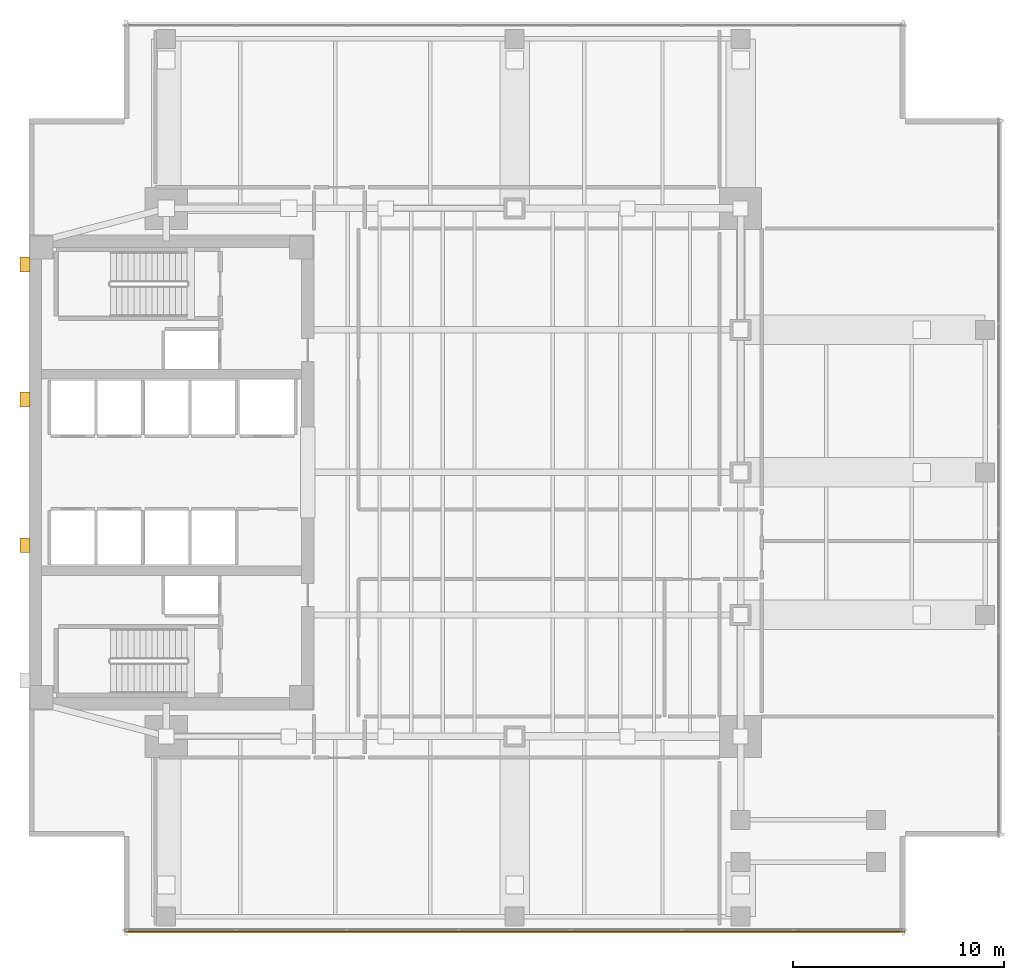
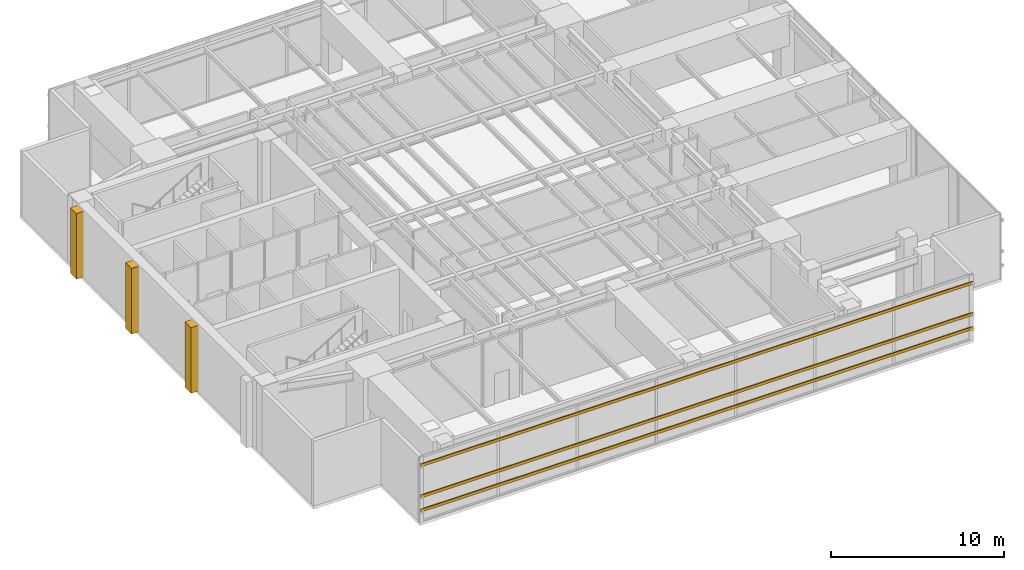
# One storey, part 12 of 14: 3 coverings, 3 shading devices.
"""IFC4 building model written with IfcOpenShell, lengths in metres."""

import ifcopenshell
import ifcopenshell.guid

model = None  # the IFC model being written
_history = None  # IfcOwnerHistory: only IFC2X3 demands one
_inside = {}  # id of a spatial element -> (the spatial element, [elements in it])
_under = {}  # id of a project, library or spatial element -> (it, [spatial elements below it])
_declared = {}  # id of a project -> (the project, [libraries it declares])
_typed = {}  # id of a type object -> (the type object, [elements of that type])
_made_of = {}  # id of a material, layer set ... -> (it, [elements and type objects made of it])


def new_model(schema):
    """Start an empty IFC model of exactly this schema.

    Asked for "IFC4X3", IfcOpenShell would pick the latest addendum, in which some entities
    have other attributes; the version numbers below select the first issue.
    IFC2X3 requires an IfcOwnerHistory on every rooted entity: one is made here for all.
    """
    global model, _history
    if schema == "IFC4X3":
        model = ifcopenshell.file(schema_version=(4, 3, 0, 0))
    else:
        model = ifcopenshell.file(schema=schema)
    _inside.clear()
    _under.clear()
    _declared.clear()
    _typed.clear()
    _made_of.clear()
    _history = None
    if model.schema == "IFC2X3":
        org = make("IfcOrganization", Name="unknown")
        user = make(
            "IfcPersonAndOrganization",
            ThePerson=make("IfcPerson", FamilyName="unknown"),
            TheOrganization=org,
        )
        app = make(
            "IfcApplication",
            ApplicationDeveloper=org,
            Version="unknown",
            ApplicationFullName="unknown",
            ApplicationIdentifier="unknown",
        )
        _history = make(
            "IfcOwnerHistory",
            OwningUser=user,
            OwningApplication=app,
            ChangeAction="ADDED",
            CreationDate=0,
        )
    return model


def make(cls, **values):
    """One entity of the class cls with the attributes given. An attribute that is None is left unset."""
    return model.create_entity(
        cls, **{name: value for name, value in values.items() if value is not None}
    )


def rooted(cls, **values):
    """An entity with a GlobalId (a new one), such as an element, a storey or a relation."""
    return make(cls, GlobalId=ifcopenshell.guid.new(), OwnerHistory=_history, **values)


def si_unit(unit_type, name, prefix=None):
    """IfcSIUnit, for example si_unit("LENGTHUNIT", "METRE", prefix="MILLI")."""
    return make("IfcSIUnit", UnitType=unit_type, Prefix=prefix, Name=name)


def assignment(units):
    """IfcUnitAssignment: the units of a project."""
    return None if units is None else make("IfcUnitAssignment", Units=units)


def point(xyz):
    """IfcCartesianPoint."""
    return None if xyz is None else make("IfcCartesianPoint", Coordinates=xyz)


def direction(xyz):
    """IfcDirection."""
    return None if xyz is None else make("IfcDirection", DirectionRatios=xyz)


def frame(location, z_axis=None, x_axis=None):
    """IfcAxis2Placement3D, a coordinate frame: its origin and axes. An axis left out is left unset."""
    return make(
        "IfcAxis2Placement3D",
        Location=point(location),
        Axis=direction(z_axis),
        RefDirection=direction(x_axis),
    )


def frame_2d(location, x_axis=None):
    """IfcAxis2Placement2D, a coordinate frame in the plane: its origin and x axis."""
    return make(
        "IfcAxis2Placement2D", Location=point(location), RefDirection=direction(x_axis)
    )


def origin():
    """The frame at (0, 0, 0) with its axes left unset."""
    return frame((0.0, 0.0, 0.0))


def origin_2d():
    """The frame at (0, 0) in the plane with its x axis left unset."""
    return frame_2d((0.0, 0.0))


def place(relative_to, where):
    """IfcLocalPlacement: puts the frame where relative to a parent placement (None: the world)."""
    return make(
        "IfcLocalPlacement", PlacementRelTo=relative_to, RelativePlacement=where
    )


def context(
    kind, dimensions, precision=None, world=None, true_north=None, identifier=None
):
    """IfcGeometricRepresentationContext, for example the 3D "Model" context."""
    return make(
        "IfcGeometricRepresentationContext",
        ContextIdentifier=identifier,
        ContextType=kind,
        CoordinateSpaceDimension=dimensions,
        Precision=precision,
        WorldCoordinateSystem=world,
        TrueNorth=true_north,
    )


def subcontext(parent, identifier, kind, view, scale=None):
    """IfcGeometricRepresentationSubContext, for example "Body" below "Model"."""
    return make(
        "IfcGeometricRepresentationSubContext",
        ContextIdentifier=identifier,
        ContextType=kind,
        ParentContext=parent,
        TargetScale=scale,
        TargetView=view,
    )


def project(units=None, contexts=None):
    """IfcProject with its units and contexts."""
    return rooted(
        "IfcProject",
        Name="project",
        RepresentationContexts=contexts,
        UnitsInContext=assignment(units),
    )


def spatial(cls, under=None, at=None, **own):
    """A site, building, storey or space (cls), placed at a placement, below another one or the project."""
    s = rooted(cls, ObjectPlacement=at, **own)
    if under is not None:
        _under.setdefault(under.id(), (under, []))[1].append(s)
    return s


def polyline(points):
    """IfcPolyline through the points."""
    return make("IfcPolyline", Points=[point(p) for p in points])


def profile(cls, at=None, kind="AREA", **sizes):
    """A parametric profile (cls). Its sizes go by their IFC names, for example OverallWidth=200.0."""
    return make(cls, ProfileType=kind, Position=at, **sizes)


def rectangle(**sizes):
    """IfcRectangleProfileDef."""
    return profile("IfcRectangleProfileDef", **sizes)


def outline(outer, holes=None, kind="AREA"):
    """IfcArbitraryClosedProfileDef: a profile drawn as a closed curve; with holes, ...WithVoids."""
    if holes is None:
        return make("IfcArbitraryClosedProfileDef", ProfileType=kind, OuterCurve=outer)
    return make(
        "IfcArbitraryProfileDefWithVoids",
        ProfileType=kind,
        OuterCurve=outer,
        InnerCurves=holes,
    )


def extrude(swept, where, along, depth):
    """IfcExtrudedAreaSolid: the profile swept, set in the frame where, extruded along a direction by depth."""
    return make(
        "IfcExtrudedAreaSolid",
        SweptArea=swept,
        Position=where,
        ExtrudedDirection=direction(along),
        Depth=depth,
    )


def shape(context_of_items, identifier, shape_type, items):
    """IfcShapeRepresentation: the items that make up one representation, for example the "Body"."""
    return make(
        "IfcShapeRepresentation",
        ContextOfItems=context_of_items,
        RepresentationIdentifier=identifier,
        RepresentationType=shape_type,
        Items=items,
    )


def material(Name=None, Category=None):
    """IfcMaterial."""
    return make("IfcMaterial", Name=Name, Category=Category)


def layer(
    of_material, thickness, ventilated=None, Name=None, Category=None, Priority=None
):
    """IfcMaterialLayer: one layer of a wall or slab, of a material (None: an air gap)."""
    return make(
        "IfcMaterialLayer",
        Material=of_material,
        LayerThickness=thickness,
        IsVentilated=ventilated,
        Name=Name,
        Category=Category,
        Priority=Priority,
    )


def layer_set(layers, Name=None):
    """IfcMaterialLayerSet."""
    return make("IfcMaterialLayerSet", MaterialLayers=layers, LayerSetName=Name)


def material_profile(
    of_material, cross_section, Name=None, Category=None, Priority=None
):
    """IfcMaterialProfile: a cross section and its material."""
    return make(
        "IfcMaterialProfile",
        Name=Name,
        Material=of_material,
        Profile=cross_section,
        Priority=Priority,
        Category=Category,
    )


def profile_set(profiles, Name=None, composite=None):
    """IfcMaterialProfileSet."""
    return make(
        "IfcMaterialProfileSet",
        Name=Name,
        MaterialProfiles=profiles,
        CompositeProfile=composite,
    )


def made_of(thing, what):
    """Note that an element or type object is made of a material, layer set ...; save() writes the relation."""
    if what is not None:
        _made_of.setdefault(what.id(), (what, []))[1].append(thing)
    return thing


def type_object(cls, material=None, **own):
    """A type object (cls), such as IfcWallType, which elements share."""
    return made_of(rooted(cls, **own), material)


def element(
    cls,
    number,
    at=None,
    inside=None,
    cuts=None,
    type_object=None,
    material=None,
    context=None,
    identifier="Body",
    shape_type=None,
    held_by="IfcProductDefinitionShape",
    body=None,
    shapes=None,
    **own,
):
    """One element of the class cls, such as IfcWall. Its Tag is "e" and its number.

    at: its placement. inside: the storey or other place that contains it. cuts: it is an
    opening in that element (IfcRelVoidsElement). A single representation is given by context,
    identifier, shape_type and body (its items); several are given by shapes. held_by: the class
    of the entity that holds the representations. save() writes the other relations.
    """
    e = rooted(cls, Tag="e%d" % number, ObjectPlacement=at, **own)
    if body is not None:
        shapes = [shape(context, identifier, shape_type, body)]
    if shapes is not None:
        e.Representation = make(held_by, Representations=shapes)
    if inside is not None:
        _inside.setdefault(inside.id(), (inside, []))[1].append(e)
    if cuts is not None:
        rooted(
            "IfcRelVoidsElement", RelatingBuildingElement=cuts, RelatedOpeningElement=e
        )
    if type_object is not None:
        _typed.setdefault(type_object.id(), (type_object, []))[1].append(e)
    return made_of(e, material)


def aggregate(whole, parts):
    """IfcRelAggregates: a whole, such as a stair, and the parts it consists of."""
    return rooted("IfcRelAggregates", RelatingObject=whole, RelatedObjects=parts)


def save(model, path):
    """Write the relations noted so far, then the file.

    IfcRelAggregates (storeys below a building ...), IfcRelContainedInSpatialStructure (elements
    in a storey), IfcRelDefinesByType, IfcRelAssociatesMaterial and IfcRelDeclares: one each for
    every whole, place, type object, material and project.
    """
    for whole, parts in _under.values():
        aggregate(whole, parts)
    for where, things in _inside.values():
        rooted(
            "IfcRelContainedInSpatialStructure",
            RelatedElements=things,
            RelatingStructure=where,
        )
    for kind, things in _typed.values():
        rooted("IfcRelDefinesByType", RelatedObjects=things, RelatingType=kind)
    for what, things in _made_of.values():
        rooted("IfcRelAssociatesMaterial", RelatedObjects=things, RelatingMaterial=what)
    for by, libraries in _declared.values():
        rooted("IfcRelDeclares", RelatingContext=by, RelatedDefinitions=libraries)
    model.write(path)


model = new_model("IFC4")

# Units and contexts
model_context = context("Model", 3, precision=1e-05, world=origin(), true_north=direction((0.0, 1.0)))
body_context = subcontext(model_context, "Body", "Model", "MODEL_VIEW")
ifc_project = project(units=[si_unit("LENGTHUNIT", "METRE"), si_unit("AREAUNIT", "SQUARE_METRE"), si_unit("VOLUMEUNIT", "CUBIC_METRE"), si_unit("PLANEANGLEUNIT", "RADIAN"), si_unit("MASSUNIT", "GRAM", prefix="KILO")], contexts=[model_context])

# Site, building, storey
site_placement = place(None, origin())
site = spatial("IfcSite", under=ifc_project, at=site_placement, CompositionType="ELEMENT")
building_placement = place(site_placement, origin())
building = spatial("IfcBuilding", under=site, at=building_placement, Name="Kinhvarn Gate Tower", CompositionType="ELEMENT")
storey_placement = place(building_placement, frame((0.0, 0.0, 173.25)))
storey = spatial("IfcBuildingStorey", under=building, at=storey_placement, Name="L46", CompositionType="ELEMENT", Elevation=173.25)

# Coverings
ifc_material_1 = material(Name="Precast white architectural concrete C40/50", Category="concrete")
ifc_layer = layer(ifc_material_1, 0.47998046875)
ifc_layer_set = layer_set([ifc_layer], Name="Precast white architectural concrete C40/50")
covering_type = type_object("IfcCoveringType", Name="COV-RIB-450", PredefinedType="CLADDING", material=ifc_layer_set)
covering_1_placement = place(storey_placement, frame((0.0, 0.0, -0.02001953125)))
element("IfcCovering", 1, at=covering_1_placement, inside=storey, type_object=covering_type, Name="West Core Sculptural Concrete Relief Rib CRB-450 (L46)", PredefinedType="CLADDING", context=body_context, shape_type="SweptSolid", body=[
    extrude(outline(polyline([(4.080078125, 21.449951171875), (4.56005859375, 21.449951171875), (4.56005859375, 22.14990234375), (4.080078125, 22.14990234375), (4.080078125, 21.449951171875)])), origin(), (0.0, 0.0, 1.0), 4.64013671875),
])
covering_2_placement = place(storey_placement, frame((0.0, 0.0, -0.02001953125)))
element("IfcCovering", 2, at=covering_2_placement, inside=storey, type_object=covering_type, Name="West Core Sculptural Concrete Relief Rib CRB-450 (L46)", PredefinedType="CLADDING", context=body_context, shape_type="SweptSolid", body=[
    extrude(outline(polyline([(4.080078125, 28.35009765625), (4.56005859375, 28.35009765625), (4.56005859375, 29.050048828125), (4.080078125, 29.050048828125), (4.080078125, 28.35009765625)])), origin(), (0.0, 0.0, 1.0), 4.64013671875),
])
covering_3_placement = place(storey_placement, frame((0.0, 0.0, -0.02001953125)))
element("IfcCovering", 3, at=covering_3_placement, inside=storey, type_object=covering_type, Name="West Core Sculptural Concrete Relief Rib CRB-450 (L46)", PredefinedType="CLADDING", context=body_context, shape_type="SweptSolid", body=[
    extrude(outline(polyline([(4.080078125, 34.75), (4.56005859375, 34.75), (4.56005859375, 35.449951171875), (4.080078125, 35.449951171875), (4.080078125, 34.75)])), origin(), (0.0, 0.0, 1.0), 4.64013671875),
])

# Shading devices
ifc_material_2 = material(Name="Anodised aluminium AW-6063", Category="aluminium")
ifc_material_profile = material_profile(ifc_material_2, rectangle(XDim=0.074951171875, YDim=0.199951171875, at=origin_2d()), Name="LOUVRE 75x200")
ifc_profile_set = profile_set([ifc_material_profile], Name="Anodised aluminium AW-6063")
shading_device_type = type_object("IfcShadingDeviceType", Name="SHD-LVR-200", PredefinedType="JALOUSIE", material=ifc_profile_set)
for number, where, z_axis, x_axis, name in (
    (4, (9.0400390625, 3.487548828125, 0.85009765625), (1.0, 0.0, 0.0), (0.0, 1.0, 0.0), "Anodised Aluminium Acoustic Plant Louvre Blade 75x200 mm (L46)"),
    (5, (9.0400390625, 3.487548828125, 1.85009765625), (1.0, 0.0, 0.0), (0.0, 1.0, 0.0), "Anodised Aluminium Acoustic Plant Louvre Blade 75x200 mm (L46)"),
    (6, (9.0400390625, 3.487548828125, 4.050048828125), (1.0, 0.0, 0.0), (0.0, 1.0, 0.0), "Anodised Aluminium Acoustic Plant Louvre Blade 75x200 mm (L46)"),
):
    element("IfcShadingDevice", number, at=place(storey_placement, frame(where, z_axis=z_axis, x_axis=x_axis)), inside=storey, type_object=shading_device_type, Name=name, PredefinedType="JALOUSIE", context=body_context, shape_type="SweptSolid", body=[
        extrude(rectangle(XDim=0.074951171875, YDim=0.199951171875, at=origin_2d()), origin(), (0.0, 0.0, 1.0), 36.919921875),
    ])

save(model, "model.ifc")
